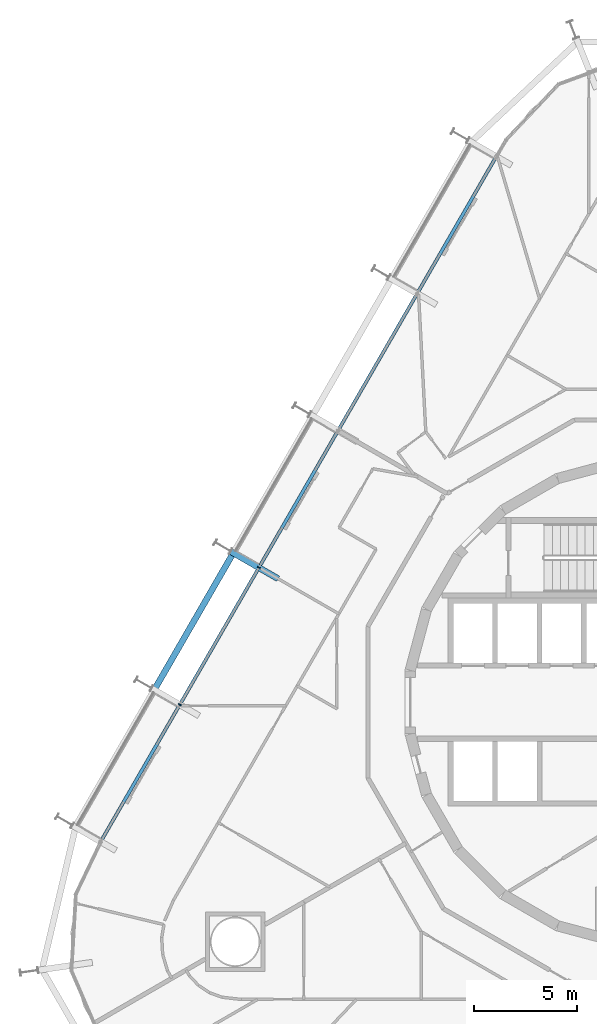
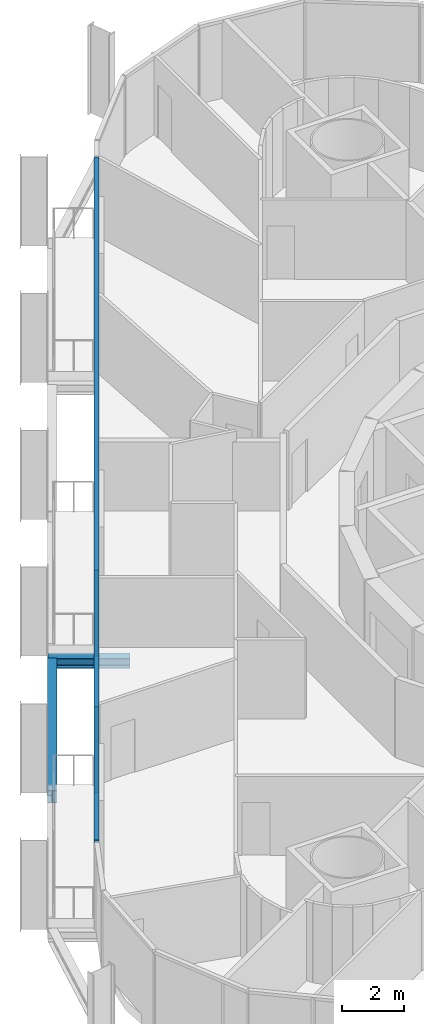
# One storey, part 5 of 21: 3 members, 2 beams, 1 element without a shape of its own.
"""IFC4 building model written with IfcOpenShell, lengths in metres."""

from ifc_helpers import new_model, si_unit, direction, frame, origin, origin_2d, place, context, subcontext, project, spatial, rectangle, i_section, extrude, material, layer, layer_set, material_profile, profile_set, type_object, element, aggregate, save


model = new_model("IFC4")

# Units and contexts
model_context = context("Model", 3, precision=1e-05, world=origin(), true_north=direction((0.0, 1.0)))
body_context = subcontext(model_context, "Body", "Model", "MODEL_VIEW")
ifc_project = project(units=[si_unit("LENGTHUNIT", "METRE"), si_unit("AREAUNIT", "SQUARE_METRE"), si_unit("VOLUMEUNIT", "CUBIC_METRE"), si_unit("PLANEANGLEUNIT", "RADIAN"), si_unit("MASSUNIT", "GRAM", prefix="KILO")], contexts=[model_context])

# Site, building, storey
site_placement = place(None, origin())
site = spatial("IfcSite", under=ifc_project, at=site_placement, CompositionType="ELEMENT")
building_placement = place(site_placement, origin())
building = spatial("IfcBuilding", under=site, at=building_placement, Name="Spindle Arch Residences", CompositionType="ELEMENT")
storey_placement = place(building_placement, frame((0.0, 0.0, 48.89990234375)))
storey = spatial("IfcBuildingStorey", under=building, at=storey_placement, Name="L10", CompositionType="ELEMENT", Elevation=48.89990234375)

# Curtain wall, members
ifc_material_1 = material(Name="Aluminium bronze unitised frame with tinted glass", Category="aluminium")
ifc_layer = layer(ifc_material_1, 0.159912109375)
ifc_layer_set = layer_set([ifc_layer], Name="CW-C typical residential unitised wall")
curtain_wall_type = type_object("IfcCurtainWallType", Name="CW-C typical residential unitised wall", PredefinedType="NOTDEFINED", material=ifc_layer_set)
curtain_wall_placement = place(storey_placement, origin())
curtain_wall = element("IfcCurtainWall", 1, at=curtain_wall_placement, inside=storey, type_object=curtain_wall_type, Name="CW-C L10 run 4", PredefinedType="NOTDEFINED")
ifc_material_2 = material(Name="Aluminium bronze anodised mullion", Category="aluminium")
ifc_material_profile_1 = material_profile(ifc_material_2, rectangle(XDim=0.159912109375, YDim=0.06005859375, at=origin_2d()), Name="MU 60x160")
ifc_profile_set_1 = profile_set([ifc_material_profile_1], Name="Aluminium bronze anodised mullion")
member_type_1 = type_object("IfcMemberType", Name="Bronze mullion 60x160", PredefinedType="MULLION", material=ifc_profile_set_1)
member_1_placement = place(storey_placement, frame((-18.9892578125, 6.529296875, -0.3798828125), z_axis=(0.0, 0.0, 1.0), x_axis=(0.866025403784, -0.5, 0.0)))
member_1 = element("IfcMember", 2, at=member_1_placement, type_object=member_type_1, Name="CW-C mullion 16", PredefinedType="MULLION", context=body_context, shape_type="SweptSolid", body=[
    extrude(rectangle(XDim=0.159912109375, YDim=0.06005859375, at=origin_2d()), origin(), (0.0, 0.0, 1.0), 3.3798828125),
])
member_2_placement = place(storey_placement, frame((-22.829345703125, -0.121826171875, -0.3798828125), z_axis=(0.0, 0.0, 1.0), x_axis=(0.866025403784, -0.5, 0.0)))
member_2 = element("IfcMember", 3, at=member_2_placement, type_object=member_type_1, Name="CW-C mullion 17", PredefinedType="MULLION", context=body_context, shape_type="SweptSolid", body=[
    extrude(rectangle(XDim=0.159912109375, YDim=0.06005859375, at=origin_2d()), origin(), (0.0, 0.0, 1.0), 3.3798828125),
])
ifc_material_3 = material(Name="Aluminium bronze anodised transom", Category="aluminium")
ifc_material_profile_2 = material_profile(ifc_material_3, rectangle(XDim=0.159912109375, YDim=0.1201171875, at=origin_2d()), Name="TR 120x160")
ifc_profile_set_2 = profile_set([ifc_material_profile_2], Name="Aluminium bronze anodised transom")
member_type_2 = type_object("IfcMemberType", Name="Bronze transom 120x160", PredefinedType="USERDEFINED", material=ifc_profile_set_2)
member_3_placement = place(storey_placement, frame((-7.484130859375, 26.456787109375, 3.06005859375), z_axis=(-0.50000099666, -0.866024828362, 0.0), x_axis=(0.866024828362, -0.50000099666, 0.0)))
member_3 = element("IfcMember", 4, at=member_3_placement, type_object=member_type_2, Name="CW-C transom 00", ObjectType="TRANSOM", PredefinedType="USERDEFINED", context=body_context, shape_type="SweptSolid", body=[
    extrude(rectangle(XDim=0.159912109375, YDim=0.1201171875, at=origin_2d()), origin(), (0.0, 0.0, 1.0), 38.34033203125),
])
aggregate(curtain_wall, [member_3, member_1, member_2])

# Beams
ifc_material_4 = material(Name="Steel S460ML, intumescent coating R 120", Category="steel")
ifc_material_profile_3 = material_profile(ifc_material_4, i_section(OverallWidth=0.300048828125, OverallDepth=0.5, WebThickness=0.014404296875, FlangeThickness=0.028076171875, FilletRadius=0.027099609375, at=origin_2d()), Name="HEB 500")
ifc_profile_set_3 = profile_set([ifc_material_profile_3], Name="Steel S460ML, intumescent coating R 120")
beam_type_1 = type_object("IfcBeamType", Name="Exoskeleton edge beam HEB 500", PredefinedType="BEAM", material=ifc_profile_set_3)
beam_1_placement = place(storey_placement, frame((-20.29541015625, 7.13330078125, -0.6298828125), z_axis=(-0.49998923004, -0.866031621735, 0.0), x_axis=(0.866031621735, -0.49998923004, 0.0)))
element("IfcBeam", 5, at=beam_1_placement, inside=storey, type_object=beam_type_1, Name="Exoskeleton edge beam 17", PredefinedType="BEAM", context=body_context, shape_type="SweptSolid", body=[
    extrude(i_section(OverallWidth=0.300048828125, OverallDepth=0.5, WebThickness=0.014404296875, FlangeThickness=0.028076171875, FilletRadius=0.027099609375, at=origin_2d()), origin(), (0.0, 0.0, 1.0), 7.420166015625),
])
ifc_material_5 = material(Name="Steel S460ML, intumescent coating R 120", Category="steel")
ifc_material_profile_4 = material_profile(ifc_material_5, i_section(OverallWidth=0.300048828125, OverallDepth=0.389892578125, WebThickness=0.010986328125, FlangeThickness=0.01904296875, FilletRadius=0.027099609375, at=origin_2d()), Name="HEA 400")
ifc_profile_set_4 = profile_set([ifc_material_profile_4], Name="Steel S460ML, intumescent coating R 120")
beam_type_2 = type_object("IfcBeamType", Name="Floor outrigger HEA 400", PredefinedType="BEAM", material=ifc_profile_set_4)
beam_2_placement = place(storey_placement, frame((-20.34912109375, 7.314453125, -0.574951171875), z_axis=(0.866052124492, -0.499953715521, 0.0), x_axis=(0.499953715521, 0.866052124492, 0.0)))
element("IfcBeam", 6, at=beam_2_placement, inside=storey, type_object=beam_type_2, Name="Floor outrigger 17", PredefinedType="BEAM", context=body_context, shape_type="SweptSolid", body=[
    extrude(i_section(OverallWidth=0.300048828125, OverallDepth=0.389892578125, WebThickness=0.010986328125, FlangeThickness=0.01904296875, FilletRadius=0.027099609375, at=origin_2d()), origin(), (0.0, 0.0, 1.0), 2.650146484375),
])

save(model, "model.ifc")
